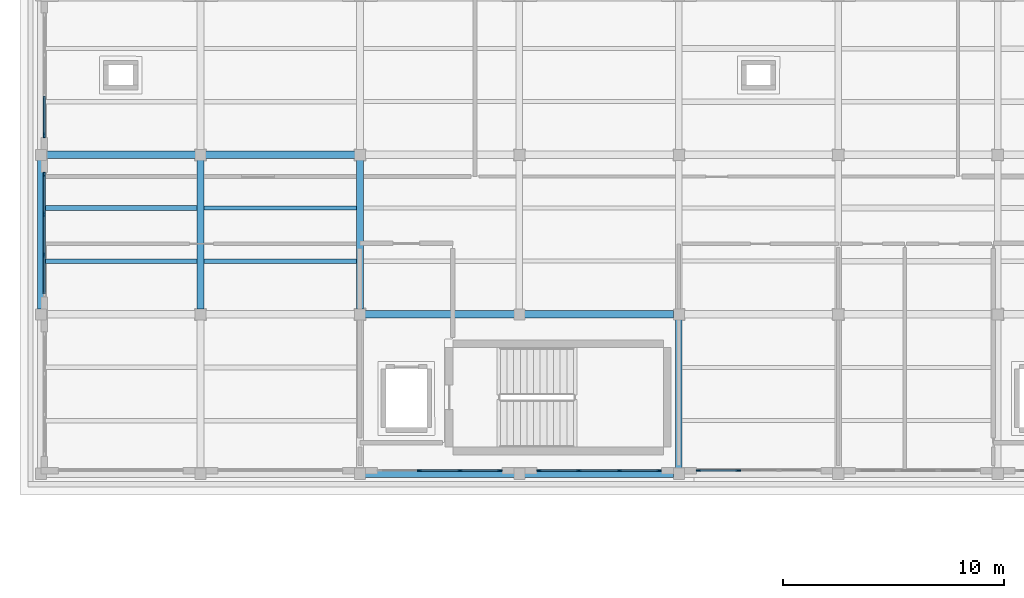
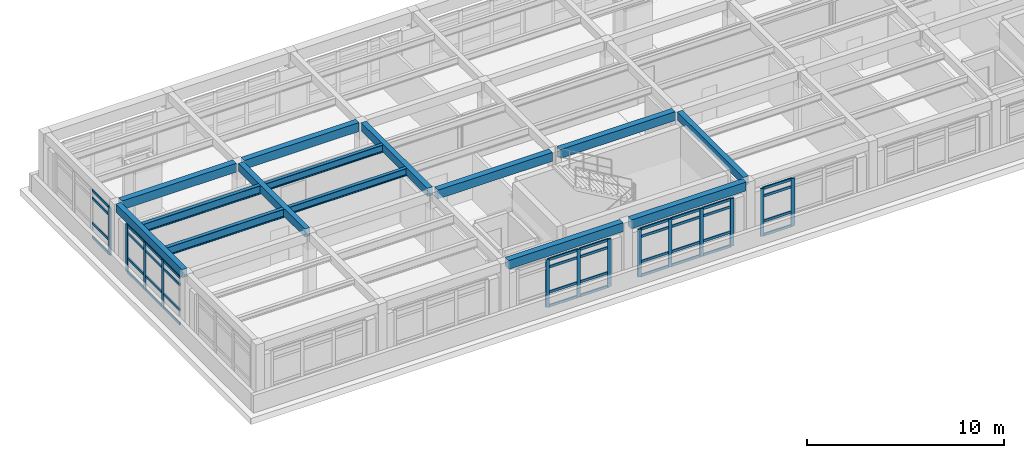
# One storey, part 3 of 20: 53 members, 14 beams, 5 elements without a shape of their own.
"""IFC4 building model written with IfcOpenShell, lengths in metres."""

from ifc_helpers import new_model, si_unit, direction, frame, origin, origin_2d, place, context, subcontext, project, spatial, rectangle, i_section, extrude, material, layer, layer_set, material_profile, profile_set, type_object, element, aggregate, save


model = new_model("IFC4")

# Units and contexts
model_context = context("Model", 3, precision=1e-05, world=origin(), true_north=direction((0.0, 1.0)))
body_context = subcontext(model_context, "Body", "Model", "MODEL_VIEW")
ifc_project = project(units=[si_unit("LENGTHUNIT", "METRE"), si_unit("AREAUNIT", "SQUARE_METRE"), si_unit("VOLUMEUNIT", "CUBIC_METRE"), si_unit("PLANEANGLEUNIT", "RADIAN"), si_unit("MASSUNIT", "GRAM", prefix="KILO")], contexts=[model_context])

# Site, building, storey
site_placement = place(None, origin())
site = spatial("IfcSite", under=ifc_project, at=site_placement, CompositionType="ELEMENT")
building_placement = place(site_placement, origin())
building = spatial("IfcBuilding", under=site, at=building_placement, Name="Solenvale Faculty of Natural Sciences", CompositionType="ELEMENT")
storey_placement = place(building_placement, frame((0.0, 0.0, 35.39990234375)))
storey = spatial("IfcBuildingStorey", under=building, at=storey_placement, Name="L08", CompositionType="ELEMENT", Elevation=35.39990234375)

# Beams
ifc_material_1 = material(Name="Concrete 40 MPa", Category="concrete")
ifc_material_profile_1 = material_profile(ifc_material_1, rectangle(XDim=0.300048828125, YDim=0.5, at=origin_2d()), Name="RC-BM-300x500")
ifc_profile_set_1 = profile_set([ifc_material_profile_1], Name="Concrete 40 MPa")
beam_type_1 = type_object("IfcBeamType", Name="BM-RC-300x500", PredefinedType="BEAM", material=ifc_profile_set_1)
for number, where, z_axis, x_axis, name in (
    (1, (86.39990234375, 101.030029296875, 3.670166015625), (0.0, 1.0, 0.0), (-1.0, 0.0, 0.0), "L08 Y-Girder X86.4 (100.8..108.0)"),
    (2, (93.60009765625, 101.030029296875, 3.670166015625), (0.0, 1.0, 0.0), (-1.0, 0.0, 0.0), "L08 Y-Girder X93.6 (100.8..108.0)"),
    (3, (100.800048828125, 101.030029296875, 3.670166015625), (0.0, 1.0, 0.0), (-1.0, 0.0, 0.0), "L08 Y-Girder X100.8 (100.8..108.0)"),
    (4, (115.199951171875, 93.830078125, 3.670166015625), (0.0, 1.0, 0.0), (-1.0, 0.0, 0.0), "L08 Y-Girder X115.2 (93.6..100.8)"),
):
    element("IfcBeam", number, at=place(storey_placement, frame(where, z_axis=z_axis, x_axis=x_axis)), inside=storey, type_object=beam_type_1, Name=name, PredefinedType="BEAM", context=body_context, shape_type="SweptSolid", body=[
        extrude(rectangle(XDim=0.300048828125, YDim=0.5, at=origin_2d()), origin(), (0.0, 0.0, 1.0), 6.739990234375),
    ])
ifc_material_profile_2 = material_profile(ifc_material_1, rectangle(XDim=0.35009765625, YDim=0.550048828125, at=origin_2d()), Name="RC-BM-350x550")
ifc_profile_set_2 = profile_set([ifc_material_profile_2], Name="Concrete 40 MPa")
beam_type_2 = type_object("IfcBeamType", Name="BM-RC-350x550", PredefinedType="BEAM", material=ifc_profile_set_2)
for number, where, z_axis, x_axis, name in (
    (5, (101.030029296875, 93.60009765625, 3.64501953125), (1.0, 0.0, 0.0), (0.0, 1.0, 0.0), "L08 X-Girder Y93.6 (100.8..108.0)"),
    (6, (108.22998046875, 93.60009765625, 3.64501953125), (1.0, 0.0, 0.0), (0.0, 1.0, 0.0), "L08 X-Girder Y93.6 (108.0..115.2)"),
    (7, (101.030029296875, 100.800048828125, 3.64501953125), (1.0, 0.0, 0.0), (0.0, 1.0, 0.0), "L08 X-Girder Y100.8 (100.8..108.0)"),
    (8, (108.22998046875, 100.800048828125, 3.64501953125), (1.0, 0.0, 0.0), (0.0, 1.0, 0.0), "L08 X-Girder Y100.8 (108.0..115.2)"),
):
    element("IfcBeam", number, at=place(storey_placement, frame(where, z_axis=z_axis, x_axis=x_axis)), inside=storey, type_object=beam_type_2, Name=name, PredefinedType="BEAM", context=body_context, shape_type="SweptSolid", body=[
        extrude(rectangle(XDim=0.35009765625, YDim=0.550048828125, at=origin_2d()), origin(), (0.0, 0.0, 1.0), 6.739990234375),
    ])
beam_1_placement = place(storey_placement, frame((86.6298828125, 108.0, 3.64501953125), z_axis=(1.0, 0.0, 0.0), x_axis=(0.0, 1.0, 0.0)))
element("IfcBeam", 9, at=beam_1_placement, inside=storey, type_object=beam_type_2, Name="L08 X-Girder Y108.0 (86.4..93.6)", PredefinedType="BEAM", context=body_context, shape_type="SweptSolid", body=[
    extrude(rectangle(XDim=0.35009765625, YDim=0.550048828125, at=origin_2d()), origin(), (0.0, 0.0, 1.0), 6.740234375),
])
beam_2_placement = place(storey_placement, frame((93.830078125, 108.0, 3.64501953125), z_axis=(1.0, 0.0, 0.0), x_axis=(0.0, 1.0, 0.0)))
element("IfcBeam", 10, at=beam_2_placement, inside=storey, type_object=beam_type_2, Name="L08 X-Girder Y108.0 (93.6..100.8)", PredefinedType="BEAM", context=body_context, shape_type="SweptSolid", body=[
    extrude(rectangle(XDim=0.35009765625, YDim=0.550048828125, at=origin_2d()), origin(), (0.0, 0.0, 1.0), 6.739990234375),
])
ifc_material_2 = material(Name="Steel S355", Category="steel")
ifc_material_profile_3 = material_profile(ifc_material_2, i_section(OverallWidth=0.194091796875, OverallDepth=0.468994140625, WebThickness=0.0126953125, FlangeThickness=0.0205078125, FilletRadius=0.01806640625, at=origin_2d()), Name="W460x106")
ifc_profile_set_3 = profile_set([ifc_material_profile_3], Name="Steel S355")
beam_type_3 = type_object("IfcBeamType", Name="BM-STL-W460x106", PredefinedType="JOIST", material=ifc_profile_set_3)
for number, where, z_axis, x_axis, name in (
    (11, (93.72998046875, 103.199951171875, 3.685546875), (1.0, 0.0, 0.0), (0.0, 1.0, 0.0), "L08 Composite Floor Joist (14,15).1"),
    (12, (93.72998046875, 105.60009765625, 3.685546875), (1.0, 0.0, 0.0), (0.0, 1.0, 0.0), "L08 Composite Floor Joist (14,15).2"),
):
    element("IfcBeam", number, at=place(storey_placement, frame(where, z_axis=z_axis, x_axis=x_axis)), inside=storey, type_object=beam_type_3, Name=name, PredefinedType="JOIST", context=body_context, shape_type="SweptSolid", body=[
        extrude(i_section(OverallWidth=0.194091796875, OverallDepth=0.468994140625, WebThickness=0.0126953125, FlangeThickness=0.0205078125, FilletRadius=0.01806640625, at=origin_2d()), origin(), (0.0, 0.0, 1.0), 6.93994140625),
    ])
ifc_material_profile_4 = material_profile(ifc_material_2, i_section(OverallWidth=0.208984375, OverallDepth=0.532958984375, WebThickness=0.01025390625, FlangeThickness=0.015625, FilletRadius=0.01904296875, at=origin_2d()), Name="W530x92")
ifc_profile_set_4 = profile_set([ifc_material_profile_4], Name="Steel S355")
beam_type_4 = type_object("IfcBeamType", Name="BM-STL-W530x92", PredefinedType="JOIST", material=ifc_profile_set_4)
for number, where, z_axis, x_axis, name in (
    (13, (86.530029296875, 103.199951171875, 3.653564453125), (1.0, 0.0, 0.0), (0.0, 1.0, 0.0), "L08 Composite Floor Joist (13,15).1"),
    (14, (86.530029296875, 105.60009765625, 3.653564453125), (1.0, 0.0, 0.0), (0.0, 1.0, 0.0), "L08 Composite Floor Joist (13,15).2"),
):
    element("IfcBeam", number, at=place(storey_placement, frame(where, z_axis=z_axis, x_axis=x_axis)), inside=storey, type_object=beam_type_4, Name=name, PredefinedType="JOIST", context=body_context, shape_type="SweptSolid", body=[
        extrude(i_section(OverallWidth=0.208984375, OverallDepth=0.532958984375, WebThickness=0.01025390625, FlangeThickness=0.015625, FilletRadius=0.01904296875, at=origin_2d()), origin(), (0.0, 0.0, 1.0), 6.93994140625),
    ])

# Curtain wall, member
ifc_material_3 = material(Name="Anodised bronze aluminium", Category="aluminium")
ifc_layer = layer(ifc_material_3, 0.179931640625)
ifc_layer_set = layer_set([ifc_layer], Name="Anodised bronze aluminium")
curtain_wall_type = type_object("IfcCurtainWallType", Name="CW-TWR-MOD", PredefinedType="USERDEFINED", material=ifc_layer_set)
curtain_wall_1_placement = place(storey_placement, origin())
curtain_wall_1 = element("IfcCurtainWall", 15, at=curtain_wall_1_placement, inside=storey, type_object=curtain_wall_type, Name="L08 Curtain Wall CW-L08-P1-E3-B1", ObjectType="UNITISED CURTAIN WALL", PredefinedType="USERDEFINED")
ifc_material_profile_5 = material_profile(ifc_material_3, rectangle(XDim=0.074951171875, YDim=0.2099609375, at=origin_2d()), Name="ALU-MUL-75x210")
ifc_profile_set_5 = profile_set([ifc_material_profile_5], Name="Anodised bronze aluminium")
member_type_1 = type_object("IfcMemberType", Name="CWM-ALU-75x210", PredefinedType="MULLION", material=ifc_profile_set_5)
member_1_placement = place(storey_placement, frame((86.54248046875, 108.887451171875, 0.0), z_axis=(0.0, 0.0, 1.0), x_axis=(1.0, 0.0, 0.0)))
member_1 = element("IfcMember", 16, at=member_1_placement, type_object=member_type_1, Name="CW-04 mullion 4", PredefinedType="MULLION", context=body_context, shape_type="SweptSolid", body=[
    extrude(rectangle(XDim=0.074951171875, YDim=0.2099609375, at=origin_2d()), origin(), (0.0, 0.0, 1.0), 2.960205078125),
])

# Curtain wall, members
curtain_wall_2_placement = place(storey_placement, origin())
curtain_wall_2 = element("IfcCurtainWall", 17, at=curtain_wall_2_placement, inside=storey, type_object=curtain_wall_type, Name="L08 Curtain Wall CW-L08-P1-E3-B2", ObjectType="UNITISED CURTAIN WALL", PredefinedType="USERDEFINED")
member_2_placement = place(storey_placement, frame((86.54248046875, 107.112548828125, 0.0), z_axis=(0.0, 0.0, 1.0), x_axis=(1.0, 0.0, 0.0)))
member_2 = element("IfcMember", 18, at=member_2_placement, type_object=member_type_1, Name="CW-04 mullion 1", PredefinedType="MULLION", context=body_context, shape_type="SweptSolid", body=[
    extrude(rectangle(XDim=0.074951171875, YDim=0.2099609375, at=origin_2d()), origin(), (0.0, 0.0, 1.0), 2.960205078125),
])
member_3_placement = place(storey_placement, frame((86.54248046875, 105.316650390625, 0.0), z_axis=(0.0, 0.0, 1.0), x_axis=(1.0, 0.0, 0.0)))
member_3 = element("IfcMember", 19, at=member_3_placement, type_object=member_type_1, Name="CW-04 mullion 2", PredefinedType="MULLION", context=body_context, shape_type="SweptSolid", body=[
    extrude(rectangle(XDim=0.074951171875, YDim=0.2099609375, at=origin_2d()), origin(), (0.0, 0.0, 1.0), 2.960205078125),
])
member_4_placement = place(storey_placement, frame((86.54248046875, 103.4833984375, 0.0), z_axis=(0.0, 0.0, 1.0), x_axis=(1.0, 0.0, 0.0)))
member_4 = element("IfcMember", 20, at=member_4_placement, type_object=member_type_1, Name="CW-04 mullion 3", PredefinedType="MULLION", context=body_context, shape_type="SweptSolid", body=[
    extrude(rectangle(XDim=0.074951171875, YDim=0.2099609375, at=origin_2d()), origin(), (0.0, 0.0, 1.0), 2.960205078125),
])

curtain_wall_3_placement = place(storey_placement, origin())
curtain_wall_3 = element("IfcCurtainWall", 21, at=curtain_wall_3_placement, inside=storey, type_object=curtain_wall_type, Name="L08 Curtain Wall CW-L08-P1-E4-B3", ObjectType="UNITISED CURTAIN WALL", PredefinedType="USERDEFINED")
member_5_placement = place(storey_placement, frame((103.4833984375, 93.742431640625, 0.0), z_axis=(0.0, 0.0, 1.0), x_axis=(0.0, 1.0, 0.0)))
member_5 = element("IfcMember", 22, at=member_5_placement, type_object=member_type_1, Name="CW-04 mullion 2", PredefinedType="MULLION", context=body_context, shape_type="SweptSolid", body=[
    extrude(rectangle(XDim=0.074951171875, YDim=0.2099609375, at=origin_2d()), origin(), (0.0, 0.0, 1.0), 2.960205078125),
])
member_6_placement = place(storey_placement, frame((105.316650390625, 93.742431640625, 0.0), z_axis=(0.0, 0.0, 1.0), x_axis=(0.0, 1.0, 0.0)))
member_6 = element("IfcMember", 23, at=member_6_placement, type_object=member_type_1, Name="CW-04 mullion 3", PredefinedType="MULLION", context=body_context, shape_type="SweptSolid", body=[
    extrude(rectangle(XDim=0.074951171875, YDim=0.2099609375, at=origin_2d()), origin(), (0.0, 0.0, 1.0), 2.960205078125),
])
member_7_placement = place(storey_placement, frame((107.112548828125, 93.742431640625, 0.0), z_axis=(0.0, 0.0, 1.0), x_axis=(0.0, 1.0, 0.0)))
member_7 = element("IfcMember", 24, at=member_7_placement, type_object=member_type_1, Name="CW-04 mullion 4", PredefinedType="MULLION", context=body_context, shape_type="SweptSolid", body=[
    extrude(rectangle(XDim=0.074951171875, YDim=0.2099609375, at=origin_2d()), origin(), (0.0, 0.0, 1.0), 2.960205078125),
])

curtain_wall_4_placement = place(storey_placement, origin())
curtain_wall_4 = element("IfcCurtainWall", 25, at=curtain_wall_4_placement, inside=storey, type_object=curtain_wall_type, Name="L08 Curtain Wall CW-L08-P1-E4-B4", ObjectType="UNITISED CURTAIN WALL", PredefinedType="USERDEFINED")
member_8_placement = place(storey_placement, frame((108.887451171875, 93.742431640625, 0.0), z_axis=(0.0, 0.0, 1.0), x_axis=(0.0, 1.0, 0.0)))
member_8 = element("IfcMember", 26, at=member_8_placement, type_object=member_type_1, Name="CW-04 mullion 1", PredefinedType="MULLION", context=body_context, shape_type="SweptSolid", body=[
    extrude(rectangle(XDim=0.074951171875, YDim=0.2099609375, at=origin_2d()), origin(), (0.0, 0.0, 1.0), 2.960205078125),
])
member_9_placement = place(storey_placement, frame((110.683349609375, 93.742431640625, 0.0), z_axis=(0.0, 0.0, 1.0), x_axis=(0.0, 1.0, 0.0)))
member_9 = element("IfcMember", 27, at=member_9_placement, type_object=member_type_1, Name="CW-04 mullion 2", PredefinedType="MULLION", context=body_context, shape_type="SweptSolid", body=[
    extrude(rectangle(XDim=0.074951171875, YDim=0.2099609375, at=origin_2d()), origin(), (0.0, 0.0, 1.0), 2.960205078125),
])
member_10_placement = place(storey_placement, frame((112.5166015625, 93.742431640625, 0.0), z_axis=(0.0, 0.0, 1.0), x_axis=(0.0, 1.0, 0.0)))
member_10 = element("IfcMember", 28, at=member_10_placement, type_object=member_type_1, Name="CW-04 mullion 3", PredefinedType="MULLION", context=body_context, shape_type="SweptSolid", body=[
    extrude(rectangle(XDim=0.074951171875, YDim=0.2099609375, at=origin_2d()), origin(), (0.0, 0.0, 1.0), 2.960205078125),
])
member_11_placement = place(storey_placement, frame((114.3125, 93.742431640625, 0.0), z_axis=(0.0, 0.0, 1.0), x_axis=(0.0, 1.0, 0.0)))
member_11 = element("IfcMember", 29, at=member_11_placement, type_object=member_type_1, Name="CW-04 mullion 4", PredefinedType="MULLION", context=body_context, shape_type="SweptSolid", body=[
    extrude(rectangle(XDim=0.074951171875, YDim=0.2099609375, at=origin_2d()), origin(), (0.0, 0.0, 1.0), 2.960205078125),
])

curtain_wall_5_placement = place(storey_placement, origin())
curtain_wall_5 = element("IfcCurtainWall", 30, at=curtain_wall_5_placement, inside=storey, type_object=curtain_wall_type, Name="L08 Curtain Wall CW-L08-P1-E4-B5", ObjectType="UNITISED CURTAIN WALL", PredefinedType="USERDEFINED")
member_12_placement = place(storey_placement, frame((116.08740234375, 93.742431640625, 0.0), z_axis=(0.0, 0.0, 1.0), x_axis=(0.0, 1.0, 0.0)))
member_12 = element("IfcMember", 31, at=member_12_placement, type_object=member_type_1, Name="CW-04 mullion 1", PredefinedType="MULLION", context=body_context, shape_type="SweptSolid", body=[
    extrude(rectangle(XDim=0.074951171875, YDim=0.2099609375, at=origin_2d()), origin(), (0.0, 0.0, 1.0), 2.960205078125),
])
member_13_placement = place(storey_placement, frame((117.88330078125, 93.742431640625, 0.0), z_axis=(0.0, 0.0, 1.0), x_axis=(0.0, 1.0, 0.0)))
member_13 = element("IfcMember", 32, at=member_13_placement, type_object=member_type_1, Name="CW-04 mullion 2", PredefinedType="MULLION", context=body_context, shape_type="SweptSolid", body=[
    extrude(rectangle(XDim=0.074951171875, YDim=0.2099609375, at=origin_2d()), origin(), (0.0, 0.0, 1.0), 2.960205078125),
])

# Member
ifc_material_profile_6 = material_profile(ifc_material_3, rectangle(XDim=0.074951171875, YDim=0.155029296875, at=origin_2d()), Name="ALU-TRN-75x155")
ifc_profile_set_6 = profile_set([ifc_material_profile_6], Name="Anodised bronze aluminium")
member_type_2 = type_object("IfcMemberType", Name="CWT-ALU-75x155", PredefinedType="USERDEFINED", material=ifc_profile_set_6)
member_14_placement = place(storey_placement, frame((86.54248046875, 110.645751953125, 0.03759765625), z_axis=(0.0, -1.0, 0.0), x_axis=(1.0, 0.0, 0.0)))
member_14 = element("IfcMember", 33, at=member_14_placement, type_object=member_type_2, Name="CW-04 transom 3.1", ObjectType="TRANSOM", PredefinedType="USERDEFINED", context=body_context, shape_type="SweptSolid", body=[
    extrude(rectangle(XDim=0.074951171875, YDim=0.155029296875, at=origin_2d()), origin(), (0.0, 0.0, 1.0), 1.720703125),
])

member_15_placement = place(storey_placement, frame((86.54248046875, 110.645751953125, 0.900146484375), z_axis=(0.0, -1.0, 0.0), x_axis=(1.0, 0.0, 0.0)))
member_15 = element("IfcMember", 34, at=member_15_placement, type_object=member_type_2, Name="CW-04 transom 3.2", ObjectType="TRANSOM", PredefinedType="USERDEFINED", context=body_context, shape_type="SweptSolid", body=[
    extrude(rectangle(XDim=0.074951171875, YDim=0.155029296875, at=origin_2d()), origin(), (0.0, 0.0, 1.0), 1.720703125),
])

member_16_placement = place(storey_placement, frame((86.54248046875, 110.645751953125, 2.460205078125), z_axis=(0.0, -1.0, 0.0), x_axis=(1.0, 0.0, 0.0)))
member_16 = element("IfcMember", 35, at=member_16_placement, type_object=member_type_2, Name="CW-04 transom 3.3", ObjectType="TRANSOM", PredefinedType="USERDEFINED", context=body_context, shape_type="SweptSolid", body=[
    extrude(rectangle(XDim=0.074951171875, YDim=0.155029296875, at=origin_2d()), origin(), (0.0, 0.0, 1.0), 1.720703125),
])

member_17_placement = place(storey_placement, frame((86.54248046875, 110.645751953125, 2.922607421875), z_axis=(0.0, -1.0, 0.0), x_axis=(1.0, 0.0, 0.0)))
member_17 = element("IfcMember", 36, at=member_17_placement, type_object=member_type_2, Name="CW-04 transom 3.4", ObjectType="TRANSOM", PredefinedType="USERDEFINED", context=body_context, shape_type="SweptSolid", body=[
    extrude(rectangle(XDim=0.074951171875, YDim=0.155029296875, at=origin_2d()), origin(), (0.0, 0.0, 1.0), 1.720703125),
])

aggregate(curtain_wall_1, [member_1, member_14, member_15, member_16, member_17])

member_18_placement = place(storey_placement, frame((86.54248046875, 107.074951171875, 0.03759765625), z_axis=(0.0, -1.0, 0.0), x_axis=(1.0, 0.0, 0.0)))
member_18 = element("IfcMember", 37, at=member_18_placement, type_object=member_type_2, Name="CW-04 transom 1.1", ObjectType="TRANSOM", PredefinedType="USERDEFINED", context=body_context, shape_type="SweptSolid", body=[
    extrude(rectangle(XDim=0.074951171875, YDim=0.155029296875, at=origin_2d()), origin(), (0.0, 0.0, 1.0), 1.720703125),
])

member_19_placement = place(storey_placement, frame((86.54248046875, 107.074951171875, 0.900146484375), z_axis=(0.0, -1.0, 0.0), x_axis=(1.0, 0.0, 0.0)))
member_19 = element("IfcMember", 38, at=member_19_placement, type_object=member_type_2, Name="CW-04 transom 1.2", ObjectType="TRANSOM", PredefinedType="USERDEFINED", context=body_context, shape_type="SweptSolid", body=[
    extrude(rectangle(XDim=0.074951171875, YDim=0.155029296875, at=origin_2d()), origin(), (0.0, 0.0, 1.0), 1.720703125),
])

member_20_placement = place(storey_placement, frame((86.54248046875, 107.074951171875, 2.460205078125), z_axis=(0.0, -1.0, 0.0), x_axis=(1.0, 0.0, 0.0)))
member_20 = element("IfcMember", 39, at=member_20_placement, type_object=member_type_2, Name="CW-04 transom 1.3", ObjectType="TRANSOM", PredefinedType="USERDEFINED", context=body_context, shape_type="SweptSolid", body=[
    extrude(rectangle(XDim=0.074951171875, YDim=0.155029296875, at=origin_2d()), origin(), (0.0, 0.0, 1.0), 1.720703125),
])

member_21_placement = place(storey_placement, frame((86.54248046875, 107.074951171875, 2.922607421875), z_axis=(0.0, -1.0, 0.0), x_axis=(1.0, 0.0, 0.0)))
member_21 = element("IfcMember", 40, at=member_21_placement, type_object=member_type_2, Name="CW-04 transom 1.4", ObjectType="TRANSOM", PredefinedType="USERDEFINED", context=body_context, shape_type="SweptSolid", body=[
    extrude(rectangle(XDim=0.074951171875, YDim=0.155029296875, at=origin_2d()), origin(), (0.0, 0.0, 1.0), 1.720703125),
])

member_22_placement = place(storey_placement, frame((86.54248046875, 105.279052734375, 0.03759765625), z_axis=(0.0, -1.0, 0.0), x_axis=(1.0, 0.0, 0.0)))
member_22 = element("IfcMember", 41, at=member_22_placement, type_object=member_type_2, Name="CW-04 transom 2.1", ObjectType="TRANSOM", PredefinedType="USERDEFINED", context=body_context, shape_type="SweptSolid", body=[
    extrude(rectangle(XDim=0.074951171875, YDim=0.155029296875, at=origin_2d()), origin(), (0.0, 0.0, 1.0), 1.75830078125),
])

member_23_placement = place(storey_placement, frame((86.54248046875, 105.279052734375, 0.900146484375), z_axis=(0.0, -1.0, 0.0), x_axis=(1.0, 0.0, 0.0)))
member_23 = element("IfcMember", 42, at=member_23_placement, type_object=member_type_2, Name="CW-04 transom 2.2", ObjectType="TRANSOM", PredefinedType="USERDEFINED", context=body_context, shape_type="SweptSolid", body=[
    extrude(rectangle(XDim=0.074951171875, YDim=0.155029296875, at=origin_2d()), origin(), (0.0, 0.0, 1.0), 1.75830078125),
])

member_24_placement = place(storey_placement, frame((86.54248046875, 105.279052734375, 2.460205078125), z_axis=(0.0, -1.0, 0.0), x_axis=(1.0, 0.0, 0.0)))
member_24 = element("IfcMember", 43, at=member_24_placement, type_object=member_type_2, Name="CW-04 transom 2.3", ObjectType="TRANSOM", PredefinedType="USERDEFINED", context=body_context, shape_type="SweptSolid", body=[
    extrude(rectangle(XDim=0.074951171875, YDim=0.155029296875, at=origin_2d()), origin(), (0.0, 0.0, 1.0), 1.75830078125),
])

member_25_placement = place(storey_placement, frame((86.54248046875, 105.279052734375, 2.922607421875), z_axis=(0.0, -1.0, 0.0), x_axis=(1.0, 0.0, 0.0)))
member_25 = element("IfcMember", 44, at=member_25_placement, type_object=member_type_2, Name="CW-04 transom 2.4", ObjectType="TRANSOM", PredefinedType="USERDEFINED", context=body_context, shape_type="SweptSolid", body=[
    extrude(rectangle(XDim=0.074951171875, YDim=0.155029296875, at=origin_2d()), origin(), (0.0, 0.0, 1.0), 1.75830078125),
])

member_26_placement = place(storey_placement, frame((86.54248046875, 103.44580078125, 0.03759765625), z_axis=(0.0, -1.0, 0.0), x_axis=(1.0, 0.0, 0.0)))
member_26 = element("IfcMember", 45, at=member_26_placement, type_object=member_type_2, Name="CW-04 transom 3.1", ObjectType="TRANSOM", PredefinedType="USERDEFINED", context=body_context, shape_type="SweptSolid", body=[
    extrude(rectangle(XDim=0.074951171875, YDim=0.155029296875, at=origin_2d()), origin(), (0.0, 0.0, 1.0), 1.720703125),
])

member_27_placement = place(storey_placement, frame((86.54248046875, 103.44580078125, 0.900146484375), z_axis=(0.0, -1.0, 0.0), x_axis=(1.0, 0.0, 0.0)))
member_27 = element("IfcMember", 46, at=member_27_placement, type_object=member_type_2, Name="CW-04 transom 3.2", ObjectType="TRANSOM", PredefinedType="USERDEFINED", context=body_context, shape_type="SweptSolid", body=[
    extrude(rectangle(XDim=0.074951171875, YDim=0.155029296875, at=origin_2d()), origin(), (0.0, 0.0, 1.0), 1.720703125),
])

member_28_placement = place(storey_placement, frame((86.54248046875, 103.44580078125, 2.460205078125), z_axis=(0.0, -1.0, 0.0), x_axis=(1.0, 0.0, 0.0)))
member_28 = element("IfcMember", 47, at=member_28_placement, type_object=member_type_2, Name="CW-04 transom 3.3", ObjectType="TRANSOM", PredefinedType="USERDEFINED", context=body_context, shape_type="SweptSolid", body=[
    extrude(rectangle(XDim=0.074951171875, YDim=0.155029296875, at=origin_2d()), origin(), (0.0, 0.0, 1.0), 1.720703125),
])

member_29_placement = place(storey_placement, frame((86.54248046875, 103.44580078125, 2.922607421875), z_axis=(0.0, -1.0, 0.0), x_axis=(1.0, 0.0, 0.0)))
member_29 = element("IfcMember", 48, at=member_29_placement, type_object=member_type_2, Name="CW-04 transom 3.4", ObjectType="TRANSOM", PredefinedType="USERDEFINED", context=body_context, shape_type="SweptSolid", body=[
    extrude(rectangle(XDim=0.074951171875, YDim=0.155029296875, at=origin_2d()), origin(), (0.0, 0.0, 1.0), 1.720703125),
])

aggregate(curtain_wall_2, [member_2, member_3, member_4, member_18, member_19, member_20, member_21, member_22, member_23, member_24, member_25, member_26, member_27, member_28, member_29])

member_30_placement = place(storey_placement, frame((103.520751953125, 93.742431640625, 0.03759765625), z_axis=(1.0, 0.0, 0.0), x_axis=(0.0, 1.0, 0.0)))
member_30 = element("IfcMember", 49, at=member_30_placement, type_object=member_type_2, Name="CW-04 transom 2.1", ObjectType="TRANSOM", PredefinedType="USERDEFINED", context=body_context, shape_type="SweptSolid", body=[
    extrude(rectangle(XDim=0.074951171875, YDim=0.155029296875, at=origin_2d()), origin(), (0.0, 0.0, 1.0), 1.75830078125),
])

member_31_placement = place(storey_placement, frame((103.520751953125, 93.742431640625, 0.900146484375), z_axis=(1.0, 0.0, 0.0), x_axis=(0.0, 1.0, 0.0)))
member_31 = element("IfcMember", 50, at=member_31_placement, type_object=member_type_2, Name="CW-04 transom 2.2", ObjectType="TRANSOM", PredefinedType="USERDEFINED", context=body_context, shape_type="SweptSolid", body=[
    extrude(rectangle(XDim=0.074951171875, YDim=0.155029296875, at=origin_2d()), origin(), (0.0, 0.0, 1.0), 1.75830078125),
])

member_32_placement = place(storey_placement, frame((103.520751953125, 93.742431640625, 2.460205078125), z_axis=(1.0, 0.0, 0.0), x_axis=(0.0, 1.0, 0.0)))
member_32 = element("IfcMember", 51, at=member_32_placement, type_object=member_type_2, Name="CW-04 transom 2.3", ObjectType="TRANSOM", PredefinedType="USERDEFINED", context=body_context, shape_type="SweptSolid", body=[
    extrude(rectangle(XDim=0.074951171875, YDim=0.155029296875, at=origin_2d()), origin(), (0.0, 0.0, 1.0), 1.75830078125),
])

member_33_placement = place(storey_placement, frame((103.520751953125, 93.742431640625, 2.922607421875), z_axis=(1.0, 0.0, 0.0), x_axis=(0.0, 1.0, 0.0)))
member_33 = element("IfcMember", 52, at=member_33_placement, type_object=member_type_2, Name="CW-04 transom 2.4", ObjectType="TRANSOM", PredefinedType="USERDEFINED", context=body_context, shape_type="SweptSolid", body=[
    extrude(rectangle(XDim=0.074951171875, YDim=0.155029296875, at=origin_2d()), origin(), (0.0, 0.0, 1.0), 1.75830078125),
])

member_34_placement = place(storey_placement, frame((105.354248046875, 93.742431640625, 0.03759765625), z_axis=(1.0, 0.0, 0.0), x_axis=(0.0, 1.0, 0.0)))
member_34 = element("IfcMember", 53, at=member_34_placement, type_object=member_type_2, Name="CW-04 transom 3.1", ObjectType="TRANSOM", PredefinedType="USERDEFINED", context=body_context, shape_type="SweptSolid", body=[
    extrude(rectangle(XDim=0.074951171875, YDim=0.155029296875, at=origin_2d()), origin(), (0.0, 0.0, 1.0), 1.720703125),
])

member_35_placement = place(storey_placement, frame((105.354248046875, 93.742431640625, 0.900146484375), z_axis=(1.0, 0.0, 0.0), x_axis=(0.0, 1.0, 0.0)))
member_35 = element("IfcMember", 54, at=member_35_placement, type_object=member_type_2, Name="CW-04 transom 3.2", ObjectType="TRANSOM", PredefinedType="USERDEFINED", context=body_context, shape_type="SweptSolid", body=[
    extrude(rectangle(XDim=0.074951171875, YDim=0.155029296875, at=origin_2d()), origin(), (0.0, 0.0, 1.0), 1.720703125),
])

member_36_placement = place(storey_placement, frame((105.354248046875, 93.742431640625, 2.460205078125), z_axis=(1.0, 0.0, 0.0), x_axis=(0.0, 1.0, 0.0)))
member_36 = element("IfcMember", 55, at=member_36_placement, type_object=member_type_2, Name="CW-04 transom 3.3", ObjectType="TRANSOM", PredefinedType="USERDEFINED", context=body_context, shape_type="SweptSolid", body=[
    extrude(rectangle(XDim=0.074951171875, YDim=0.155029296875, at=origin_2d()), origin(), (0.0, 0.0, 1.0), 1.720703125),
])

member_37_placement = place(storey_placement, frame((105.354248046875, 93.742431640625, 2.922607421875), z_axis=(1.0, 0.0, 0.0), x_axis=(0.0, 1.0, 0.0)))
member_37 = element("IfcMember", 56, at=member_37_placement, type_object=member_type_2, Name="CW-04 transom 3.4", ObjectType="TRANSOM", PredefinedType="USERDEFINED", context=body_context, shape_type="SweptSolid", body=[
    extrude(rectangle(XDim=0.074951171875, YDim=0.155029296875, at=origin_2d()), origin(), (0.0, 0.0, 1.0), 1.720703125),
])

aggregate(curtain_wall_3, [member_5, member_6, member_7, member_30, member_31, member_32, member_33, member_34, member_35, member_36, member_37])

member_38_placement = place(storey_placement, frame((108.925048828125, 93.742431640625, 0.03759765625), z_axis=(1.0, 0.0, 0.0), x_axis=(0.0, 1.0, 0.0)))
member_38 = element("IfcMember", 57, at=member_38_placement, type_object=member_type_2, Name="CW-04 transom 1.1", ObjectType="TRANSOM", PredefinedType="USERDEFINED", context=body_context, shape_type="SweptSolid", body=[
    extrude(rectangle(XDim=0.074951171875, YDim=0.155029296875, at=origin_2d()), origin(), (0.0, 0.0, 1.0), 1.720703125),
])

member_39_placement = place(storey_placement, frame((108.925048828125, 93.742431640625, 0.900146484375), z_axis=(1.0, 0.0, 0.0), x_axis=(0.0, 1.0, 0.0)))
member_39 = element("IfcMember", 58, at=member_39_placement, type_object=member_type_2, Name="CW-04 transom 1.2", ObjectType="TRANSOM", PredefinedType="USERDEFINED", context=body_context, shape_type="SweptSolid", body=[
    extrude(rectangle(XDim=0.074951171875, YDim=0.155029296875, at=origin_2d()), origin(), (0.0, 0.0, 1.0), 1.720703125),
])

member_40_placement = place(storey_placement, frame((108.925048828125, 93.742431640625, 2.460205078125), z_axis=(1.0, 0.0, 0.0), x_axis=(0.0, 1.0, 0.0)))
member_40 = element("IfcMember", 59, at=member_40_placement, type_object=member_type_2, Name="CW-04 transom 1.3", ObjectType="TRANSOM", PredefinedType="USERDEFINED", context=body_context, shape_type="SweptSolid", body=[
    extrude(rectangle(XDim=0.074951171875, YDim=0.155029296875, at=origin_2d()), origin(), (0.0, 0.0, 1.0), 1.720703125),
])

member_41_placement = place(storey_placement, frame((108.925048828125, 93.742431640625, 2.922607421875), z_axis=(1.0, 0.0, 0.0), x_axis=(0.0, 1.0, 0.0)))
member_41 = element("IfcMember", 60, at=member_41_placement, type_object=member_type_2, Name="CW-04 transom 1.4", ObjectType="TRANSOM", PredefinedType="USERDEFINED", context=body_context, shape_type="SweptSolid", body=[
    extrude(rectangle(XDim=0.074951171875, YDim=0.155029296875, at=origin_2d()), origin(), (0.0, 0.0, 1.0), 1.720703125),
])

member_42_placement = place(storey_placement, frame((110.720947265625, 93.742431640625, 0.03759765625), z_axis=(1.0, 0.0, 0.0), x_axis=(0.0, 1.0, 0.0)))
member_42 = element("IfcMember", 61, at=member_42_placement, type_object=member_type_2, Name="CW-04 transom 2.1", ObjectType="TRANSOM", PredefinedType="USERDEFINED", context=body_context, shape_type="SweptSolid", body=[
    extrude(rectangle(XDim=0.074951171875, YDim=0.155029296875, at=origin_2d()), origin(), (0.0, 0.0, 1.0), 1.75830078125),
])

member_43_placement = place(storey_placement, frame((110.720947265625, 93.742431640625, 0.900146484375), z_axis=(1.0, 0.0, 0.0), x_axis=(0.0, 1.0, 0.0)))
member_43 = element("IfcMember", 62, at=member_43_placement, type_object=member_type_2, Name="CW-04 transom 2.2", ObjectType="TRANSOM", PredefinedType="USERDEFINED", context=body_context, shape_type="SweptSolid", body=[
    extrude(rectangle(XDim=0.074951171875, YDim=0.155029296875, at=origin_2d()), origin(), (0.0, 0.0, 1.0), 1.75830078125),
])

member_44_placement = place(storey_placement, frame((110.720947265625, 93.742431640625, 2.460205078125), z_axis=(1.0, 0.0, 0.0), x_axis=(0.0, 1.0, 0.0)))
member_44 = element("IfcMember", 63, at=member_44_placement, type_object=member_type_2, Name="CW-04 transom 2.3", ObjectType="TRANSOM", PredefinedType="USERDEFINED", context=body_context, shape_type="SweptSolid", body=[
    extrude(rectangle(XDim=0.074951171875, YDim=0.155029296875, at=origin_2d()), origin(), (0.0, 0.0, 1.0), 1.75830078125),
])

member_45_placement = place(storey_placement, frame((110.720947265625, 93.742431640625, 2.922607421875), z_axis=(1.0, 0.0, 0.0), x_axis=(0.0, 1.0, 0.0)))
member_45 = element("IfcMember", 64, at=member_45_placement, type_object=member_type_2, Name="CW-04 transom 2.4", ObjectType="TRANSOM", PredefinedType="USERDEFINED", context=body_context, shape_type="SweptSolid", body=[
    extrude(rectangle(XDim=0.074951171875, YDim=0.155029296875, at=origin_2d()), origin(), (0.0, 0.0, 1.0), 1.75830078125),
])

member_46_placement = place(storey_placement, frame((112.55419921875, 93.742431640625, 0.03759765625), z_axis=(1.0, 0.0, 0.0), x_axis=(0.0, 1.0, 0.0)))
member_46 = element("IfcMember", 65, at=member_46_placement, type_object=member_type_2, Name="CW-04 transom 3.1", ObjectType="TRANSOM", PredefinedType="USERDEFINED", context=body_context, shape_type="SweptSolid", body=[
    extrude(rectangle(XDim=0.074951171875, YDim=0.155029296875, at=origin_2d()), origin(), (0.0, 0.0, 1.0), 1.720703125),
])

member_47_placement = place(storey_placement, frame((112.55419921875, 93.742431640625, 0.900146484375), z_axis=(1.0, 0.0, 0.0), x_axis=(0.0, 1.0, 0.0)))
member_47 = element("IfcMember", 66, at=member_47_placement, type_object=member_type_2, Name="CW-04 transom 3.2", ObjectType="TRANSOM", PredefinedType="USERDEFINED", context=body_context, shape_type="SweptSolid", body=[
    extrude(rectangle(XDim=0.074951171875, YDim=0.155029296875, at=origin_2d()), origin(), (0.0, 0.0, 1.0), 1.720703125),
])

member_48_placement = place(storey_placement, frame((112.55419921875, 93.742431640625, 2.460205078125), z_axis=(1.0, 0.0, 0.0), x_axis=(0.0, 1.0, 0.0)))
member_48 = element("IfcMember", 67, at=member_48_placement, type_object=member_type_2, Name="CW-04 transom 3.3", ObjectType="TRANSOM", PredefinedType="USERDEFINED", context=body_context, shape_type="SweptSolid", body=[
    extrude(rectangle(XDim=0.074951171875, YDim=0.155029296875, at=origin_2d()), origin(), (0.0, 0.0, 1.0), 1.720703125),
])

member_49_placement = place(storey_placement, frame((112.55419921875, 93.742431640625, 2.922607421875), z_axis=(1.0, 0.0, 0.0), x_axis=(0.0, 1.0, 0.0)))
member_49 = element("IfcMember", 68, at=member_49_placement, type_object=member_type_2, Name="CW-04 transom 3.4", ObjectType="TRANSOM", PredefinedType="USERDEFINED", context=body_context, shape_type="SweptSolid", body=[
    extrude(rectangle(XDim=0.074951171875, YDim=0.155029296875, at=origin_2d()), origin(), (0.0, 0.0, 1.0), 1.720703125),
])

aggregate(curtain_wall_4, [member_8, member_9, member_10, member_11, member_38, member_39, member_40, member_41, member_42, member_43, member_44, member_45, member_46, member_47, member_48, member_49])

member_50_placement = place(storey_placement, frame((116.125, 93.742431640625, 0.03759765625), z_axis=(1.0, 0.0, 0.0), x_axis=(0.0, 1.0, 0.0)))
member_50 = element("IfcMember", 69, at=member_50_placement, type_object=member_type_2, Name="CW-04 transom 1.1", ObjectType="TRANSOM", PredefinedType="USERDEFINED", context=body_context, shape_type="SweptSolid", body=[
    extrude(rectangle(XDim=0.074951171875, YDim=0.155029296875, at=origin_2d()), origin(), (0.0, 0.0, 1.0), 1.720947265625),
])

member_51_placement = place(storey_placement, frame((116.125, 93.742431640625, 0.900146484375), z_axis=(1.0, 0.0, 0.0), x_axis=(0.0, 1.0, 0.0)))
member_51 = element("IfcMember", 70, at=member_51_placement, type_object=member_type_2, Name="CW-04 transom 1.2", ObjectType="TRANSOM", PredefinedType="USERDEFINED", context=body_context, shape_type="SweptSolid", body=[
    extrude(rectangle(XDim=0.074951171875, YDim=0.155029296875, at=origin_2d()), origin(), (0.0, 0.0, 1.0), 1.720947265625),
])

member_52_placement = place(storey_placement, frame((116.125, 93.742431640625, 2.460205078125), z_axis=(1.0, 0.0, 0.0), x_axis=(0.0, 1.0, 0.0)))
member_52 = element("IfcMember", 71, at=member_52_placement, type_object=member_type_2, Name="CW-04 transom 1.3", ObjectType="TRANSOM", PredefinedType="USERDEFINED", context=body_context, shape_type="SweptSolid", body=[
    extrude(rectangle(XDim=0.074951171875, YDim=0.155029296875, at=origin_2d()), origin(), (0.0, 0.0, 1.0), 1.720947265625),
])

member_53_placement = place(storey_placement, frame((116.125, 93.742431640625, 2.922607421875), z_axis=(1.0, 0.0, 0.0), x_axis=(0.0, 1.0, 0.0)))
member_53 = element("IfcMember", 72, at=member_53_placement, type_object=member_type_2, Name="CW-04 transom 1.4", ObjectType="TRANSOM", PredefinedType="USERDEFINED", context=body_context, shape_type="SweptSolid", body=[
    extrude(rectangle(XDim=0.074951171875, YDim=0.155029296875, at=origin_2d()), origin(), (0.0, 0.0, 1.0), 1.720947265625),
])

aggregate(curtain_wall_5, [member_12, member_13, member_50, member_51, member_52, member_53])

save(model, "model.ifc")
